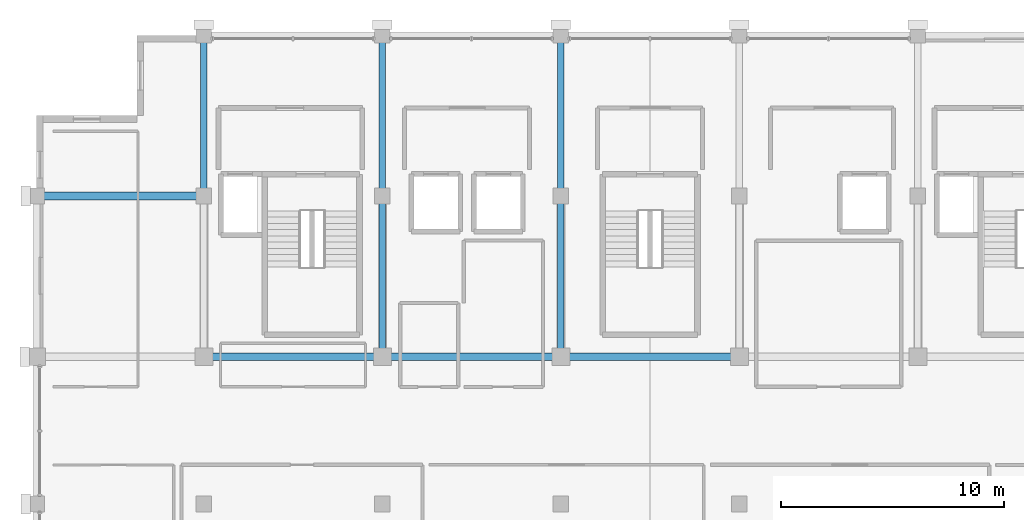
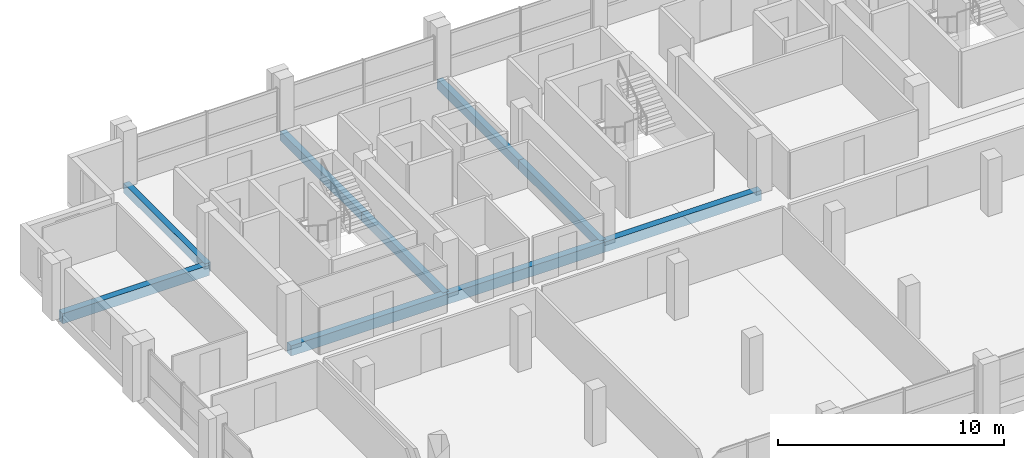
# One storey, part 8 of 24: 9 beams.
"""IFC4 building model written with IfcOpenShell, lengths in metres."""

from ifc_helpers import new_model, si_unit, direction, frame, origin, origin_2d, place, context, subcontext, project, spatial, rectangle, extrude, material, material_profile, profile_set, type_object, element, save


model = new_model("IFC4")

# Units and contexts
model_context = context("Model", 3, precision=1e-05, world=origin(), true_north=direction((0.0, 1.0)))
body_context = subcontext(model_context, "Body", "Model", "MODEL_VIEW")
ifc_project = project(units=[si_unit("LENGTHUNIT", "METRE"), si_unit("AREAUNIT", "SQUARE_METRE"), si_unit("VOLUMEUNIT", "CUBIC_METRE"), si_unit("PLANEANGLEUNIT", "RADIAN"), si_unit("MASSUNIT", "GRAM", prefix="KILO")], contexts=[model_context])

# Site, building, storey
site_placement = place(None, origin())
site = spatial("IfcSite", under=ifc_project, at=site_placement, CompositionType="ELEMENT")
building_placement = place(site_placement, origin())
building = spatial("IfcBuilding", under=site, at=building_placement, Name="Akrevak Sports Hall", CompositionType="ELEMENT")
storey_placement = place(building_placement, frame((0.0, 0.0, 60.050048828125)))
storey = spatial("IfcBuildingStorey", under=building, at=storey_placement, Name="L15", CompositionType="ELEMENT", Elevation=60.050048828125)

# Beams
ifc_material = material(Name="Concrete C40/50", Category="concrete")
ifc_material_profile_1 = material_profile(ifc_material, rectangle(XDim=0.300048828125, YDim=0.5, at=origin_2d()), Name="BM 300x500", Category="concrete")
ifc_profile_set_1 = profile_set([ifc_material_profile_1], Name="Concrete C40/50")
beam_type_1 = type_object("IfcBeamType", Name="STR-BM-RC300x500", PredefinedType="BEAM", material=ifc_profile_set_1)
beam_1_placement = place(storey_placement, frame((60.0, 62.39990234375, -0.25), z_axis=(0.0, 1.0, 0.0), x_axis=(-1.0, 0.0, 0.0)))
element("IfcBeam", 1, at=beam_1_placement, inside=storey, type_object=beam_type_1, Name="Girder 9/J-K (L15)", PredefinedType="BEAM", context=body_context, shape_type="SweptSolid", body=[
    extrude(rectangle(XDim=0.300048828125, YDim=0.5, at=origin_2d()), origin(), (0.0, 0.0, 1.0), 7.2001953125),
])
beam_2_placement = place(storey_placement, frame((68.0, 55.199951171875, -0.25), z_axis=(0.0, 1.0, 0.0), x_axis=(-1.0, 0.0, 0.0)))
element("IfcBeam", 2, at=beam_2_placement, inside=storey, type_object=beam_type_1, Name="Girder 10/I-J (L15)", PredefinedType="BEAM", context=body_context, shape_type="SweptSolid", body=[
    extrude(rectangle(XDim=0.300048828125, YDim=0.5, at=origin_2d()), origin(), (0.0, 0.0, 1.0), 7.199951171875),
])
beam_3_placement = place(storey_placement, frame((68.0, 62.39990234375, -0.25), z_axis=(0.0, 1.0, 0.0), x_axis=(-1.0, 0.0, 0.0)))
element("IfcBeam", 3, at=beam_3_placement, inside=storey, type_object=beam_type_1, Name="Girder 10/J-K (L15)", PredefinedType="BEAM", context=body_context, shape_type="SweptSolid", body=[
    extrude(rectangle(XDim=0.300048828125, YDim=0.5, at=origin_2d()), origin(), (0.0, 0.0, 1.0), 7.2001953125),
])
beam_4_placement = place(storey_placement, frame((76.0, 55.199951171875, -0.25), z_axis=(0.0, 1.0, 0.0), x_axis=(-1.0, 0.0, 0.0)))
element("IfcBeam", 4, at=beam_4_placement, inside=storey, type_object=beam_type_1, Name="Girder 11/I-J (L15)", PredefinedType="BEAM", context=body_context, shape_type="SweptSolid", body=[
    extrude(rectangle(XDim=0.300048828125, YDim=0.5, at=origin_2d()), origin(), (0.0, 0.0, 1.0), 7.199951171875),
])
beam_5_placement = place(storey_placement, frame((76.0, 62.39990234375, -0.25), z_axis=(0.0, 1.0, 0.0), x_axis=(-1.0, 0.0, 0.0)))
element("IfcBeam", 5, at=beam_5_placement, inside=storey, type_object=beam_type_1, Name="Girder 11/J-K (L15)", PredefinedType="BEAM", context=body_context, shape_type="SweptSolid", body=[
    extrude(rectangle(XDim=0.300048828125, YDim=0.5, at=origin_2d()), origin(), (0.0, 0.0, 1.0), 7.2001953125),
])
ifc_material_profile_2 = material_profile(ifc_material, rectangle(XDim=0.35009765625, YDim=0.550048828125, at=origin_2d()), Name="BM 350x550", Category="concrete")
ifc_profile_set_2 = profile_set([ifc_material_profile_2], Name="Concrete C40/50")
beam_type_2 = type_object("IfcBeamType", Name="STR-BM-RC350x550", PredefinedType="BEAM", material=ifc_profile_set_2)
for number, where, z_axis, x_axis, name in (
    (6, (60.0, 55.199951171875, -0.275146484375), (1.0, 0.0, 0.0), (0.0, 1.0, 0.0), "Girder I/9-10 (L15)"),
    (7, (68.0, 55.199951171875, -0.275146484375), (1.0, 0.0, 0.0), (0.0, 1.0, 0.0), "Girder I/10-11 (L15)"),
    (8, (76.0, 55.199951171875, -0.275146484375), (1.0, 0.0, 0.0), (0.0, 1.0, 0.0), "Girder I/11-12 (L15)"),
):
    element("IfcBeam", number, at=place(storey_placement, frame(where, z_axis=z_axis, x_axis=x_axis)), inside=storey, type_object=beam_type_2, Name=name, PredefinedType="BEAM", context=body_context, shape_type="SweptSolid", body=[
        extrude(rectangle(XDim=0.35009765625, YDim=0.550048828125, at=origin_2d()), origin(), (0.0, 0.0, 1.0), 8.0),
    ])
beam_6_placement = place(storey_placement, frame((52.5, 62.39990234375, -0.275146484375), z_axis=(1.0, 0.0, 0.0), x_axis=(0.0, 1.0, 0.0)))
element("IfcBeam", 9, at=beam_6_placement, inside=storey, type_object=beam_type_2, Name="Girder J/8-9 (L15)", PredefinedType="BEAM", context=body_context, shape_type="SweptSolid", body=[
    extrude(rectangle(XDim=0.35009765625, YDim=0.550048828125, at=origin_2d()), origin(), (0.0, 0.0, 1.0), 7.5),
])

save(model, "model.ifc")
